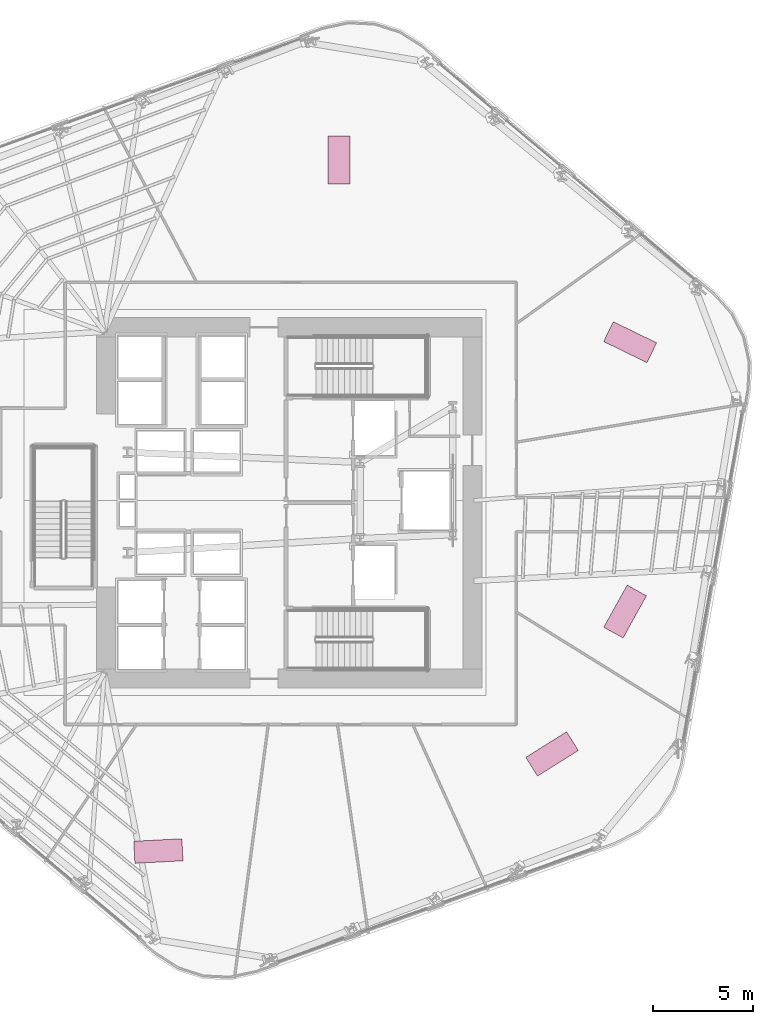
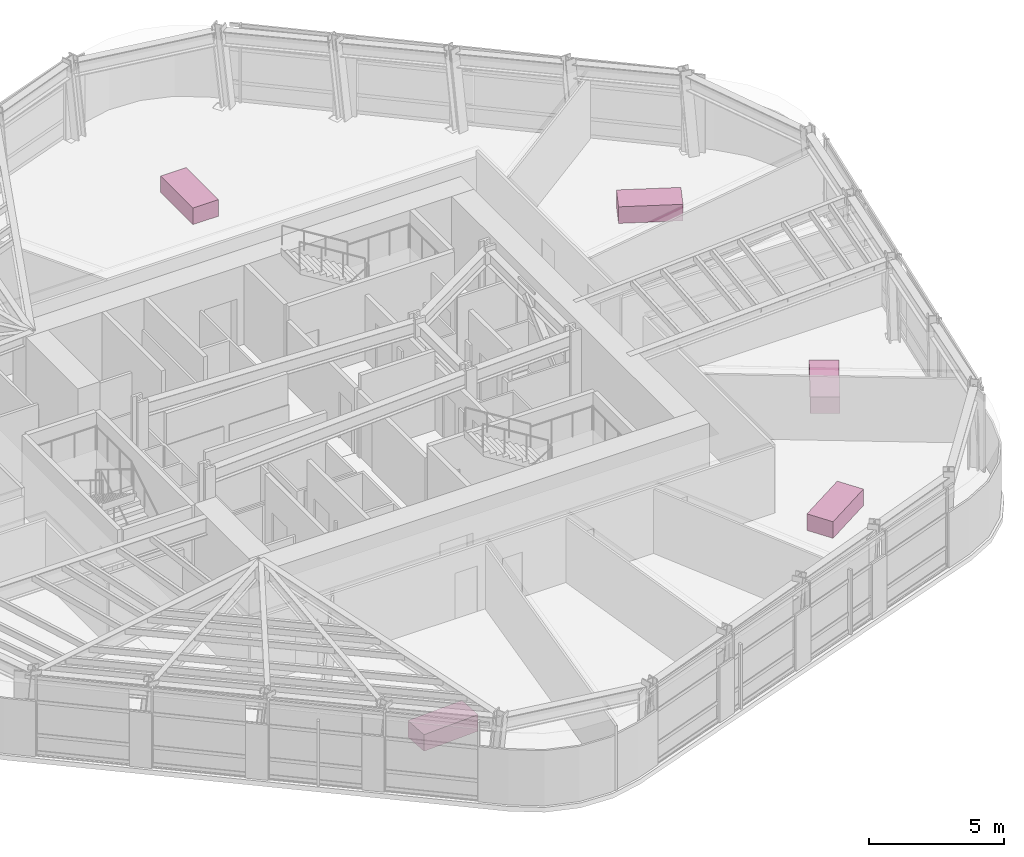
# One storey, part 18 of 18: 5 furniture elements.
"""IFC4 building model written with IfcOpenShell, lengths in metres."""

from ifc_helpers import new_model, si_unit, direction, frame, origin, origin_2d, place, context, subcontext, project, spatial, rectangle, extrude, material, type_object, element, save


model = new_model("IFC4")

# Units and contexts
model_context = context("Model", 3, precision=1e-05, world=origin(), true_north=direction((0.0, 1.0)))
body_context = subcontext(model_context, "Body", "Model", "MODEL_VIEW")
ifc_project = project(units=[si_unit("LENGTHUNIT", "METRE"), si_unit("AREAUNIT", "SQUARE_METRE"), si_unit("VOLUMEUNIT", "CUBIC_METRE"), si_unit("PLANEANGLEUNIT", "RADIAN"), si_unit("MASSUNIT", "GRAM", prefix="KILO")], contexts=[model_context])

# Site, building, storey
site_placement = place(None, origin())
site = spatial("IfcSite", under=ifc_project, at=site_placement, CompositionType="ELEMENT")
building_placement = place(site_placement, origin())
building = spatial("IfcBuilding", under=site, at=building_placement, Name="Valkerne Bourse Tower", CompositionType="ELEMENT")
storey_placement = place(building_placement, frame((0.0, 0.0, 108.60009765625)))
storey = spatial("IfcBuildingStorey", under=building, at=storey_placement, Name="L27", CompositionType="ELEMENT", Elevation=108.60009765625)

# Furniture
ifc_material = material(Name="Architectural White Oak Timber", Category="wood")
furniture_type = type_object("IfcFurnitureType", Name="FURN-DESK-2400", AssemblyPlace="NOTDEFINED", PredefinedType="DESK", material=ifc_material)
for number, where, z_axis, x_axis, name in (
    (1, (63.782958984375, 34.881103515625, 0.044921875), (0.0, 0.0, 1.0), (-0.898794046299, 0.438371146789, 0.0), "L27 Suite Worktable 05"),
    (2, (40.29296875, 9.5439453125, 0.044921875), (0.0, 0.0, 1.0), (0.998629534755, 0.052335956243, 0.0), "L27 Suite Worktable 06"),
    (3, (59.89501953125, 14.3779296875, 0.044921875), (0.0, 0.0, 1.0), (0.848048096156, 0.529919264233, 0.0), "L27 Suite Worktable 07"),
    (4, (63.531982421875, 21.468994140625, 0.044921875), (0.0, 0.0, 1.0), (0.484809620246, 0.874619707139, 0.0), "L27 Suite Worktable 08"),
    (5, (49.2880859375, 43.945068359375, 0.044921875), (0.0, 0.0, 1.0), (0.0, 1.0, 0.0), "L27 Suite Worktable 09"),
):
    element("IfcFurniture", number, at=place(storey_placement, frame(where, z_axis=z_axis, x_axis=x_axis)), inside=storey, type_object=furniture_type, Name=name, PredefinedType="DESK", context=body_context, shape_type="SweptSolid", body=[
        extrude(rectangle(XDim=2.39990234375, YDim=1.10009765625, at=origin_2d()), origin(), (0.0, 0.0, 1.0), 0.75),
    ])

save(model, "model.ifc")
